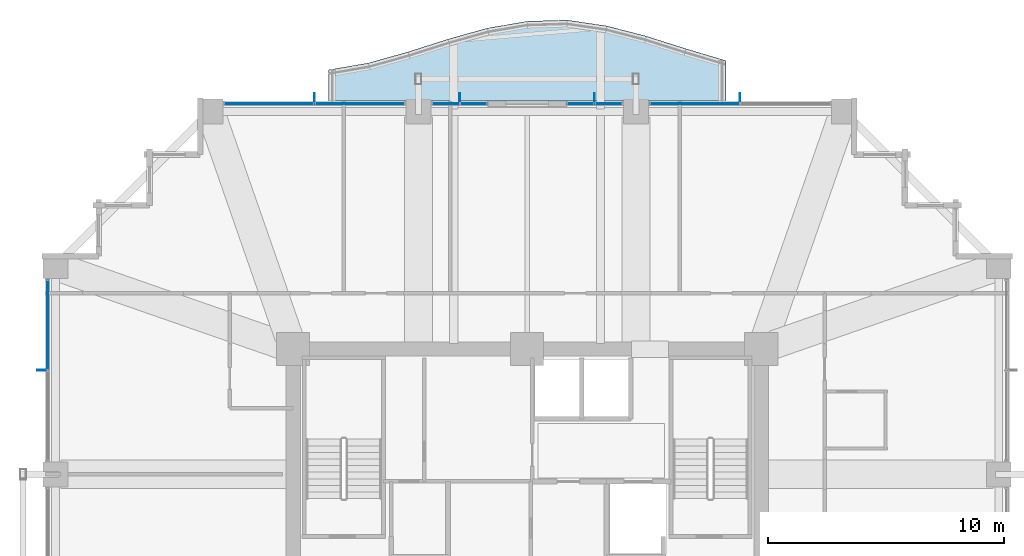
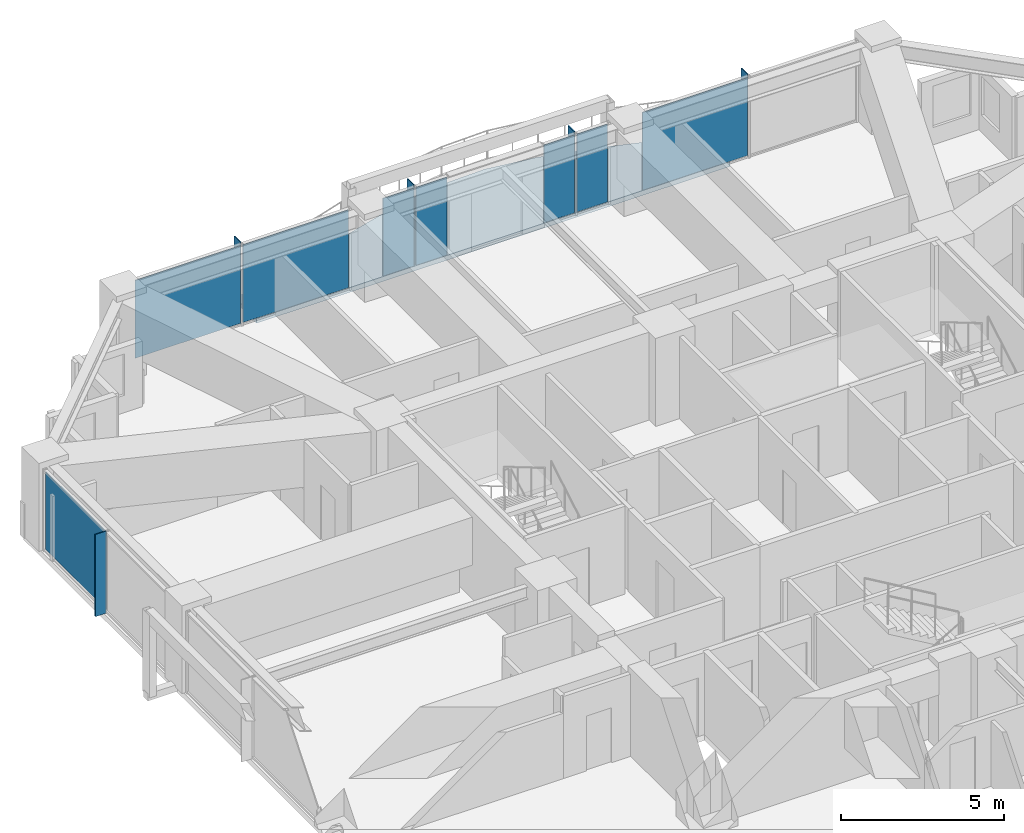
# One storey, part 31 of 39: 13 plates, 1 slab, 5 elements without a shape of their own.
"""IFC4 building model written with IfcOpenShell, lengths in metres."""

from ifc_helpers import new_model, si_unit, direction, frame, origin, origin_2d, place, context, subcontext, project, spatial, polyline, rectangle, outline, extrude, material, layer, layer_set, type_object, element, aggregate, save


model = new_model("IFC4")

# Units and contexts
model_context = context("Model", 3, precision=1e-05, world=origin(), true_north=direction((0.0, 1.0)))
body_context = subcontext(model_context, "Body", "Model", "MODEL_VIEW")
ifc_project = project(units=[si_unit("LENGTHUNIT", "METRE"), si_unit("AREAUNIT", "SQUARE_METRE"), si_unit("VOLUMEUNIT", "CUBIC_METRE"), si_unit("PLANEANGLEUNIT", "RADIAN"), si_unit("MASSUNIT", "GRAM", prefix="KILO")], contexts=[model_context])

# Site, building, storey
site_placement = place(None, origin())
site = spatial("IfcSite", under=ifc_project, at=site_placement, CompositionType="ELEMENT")
building_placement = place(site_placement, origin())
building = spatial("IfcBuilding", under=site, at=building_placement, Name="Kolvaren Belvedere", CompositionType="ELEMENT")
storey_placement = place(building_placement, frame((0.0, 0.0, 85.39990234375)))
storey = spatial("IfcBuildingStorey", under=building, at=storey_placement, Name="L24", CompositionType="ELEMENT", Elevation=85.39990234375)

# Curtain wall, plates
ifc_material_1 = material(Name="Anodised pale-metal aluminium AA 6063-T6", Category="aluminium")
curtain_wall_type = type_object("IfcCurtainWallType", Name="CW-Z2-MID", PredefinedType="NOTDEFINED", material=ifc_material_1)
curtain_wall_1_placement = place(storey_placement, origin())
curtain_wall_1 = element("IfcCurtainWall", 1, at=curtain_wall_1_placement, inside=storey, type_object=curtain_wall_type, Name="L24 Unitised Curtain Wall FCW-L24-N1-B1", PredefinedType="NOTDEFINED")
ifc_material_2 = material(Name="Low-iron triple insulated glass", Category="glass")
ifc_layer_1 = layer(ifc_material_2, 0.028076171875)
ifc_layer_set_1 = layer_set([ifc_layer_1], Name="Low-iron triple insulated glass")
plate_type_1 = type_object("IfcPlateType", Name="CW-PNL-VIS28", PredefinedType="CURTAIN_PANEL", material=ifc_layer_set_1)
plate_1_placement = place(storey_placement, frame((-10.9111328125, 20.280029296875, 0.080078125), z_axis=(0.0, 0.0, 1.0), x_axis=(1.0, 0.0, 0.0)))
plate_1 = element("IfcPlate", 2, at=plate_1_placement, type_object=plate_type_1, Name="FCW-L24-N1-B1 Vision Glazing Panel 1", PredefinedType="CURTAIN_PANEL", context=body_context, shape_type="SweptSolid", body=[
    extrude(rectangle(XDim=3.742431640625, YDim=0.028076171875, at=origin_2d()), origin(), (0.0, 0.0, 1.0), 2.919921875),
])
plate_2_placement = place(storey_placement, frame((-7.0888671875, 20.280029296875, 0.080078125), z_axis=(0.0, 0.0, 1.0), x_axis=(1.0, 0.0, 0.0)))
plate_2 = element("IfcPlate", 3, at=plate_2_placement, type_object=plate_type_1, Name="FCW-L24-N1-B1 Vision Glazing Panel 2", PredefinedType="CURTAIN_PANEL", context=body_context, shape_type="SweptSolid", body=[
    extrude(rectangle(XDim=3.742431640625, YDim=0.028076171875, at=origin_2d()), origin(), (0.0, 0.0, 1.0), 2.919921875),
])
aggregate(curtain_wall_1, [plate_1, plate_2])

curtain_wall_2_placement = place(storey_placement, origin())
curtain_wall_2 = element("IfcCurtainWall", 4, at=curtain_wall_2_placement, inside=storey, type_object=curtain_wall_type, Name="L24 Unitised Curtain Wall FCW-L24-N1-B2", PredefinedType="NOTDEFINED")
plate_3_placement = place(storey_placement, frame((-3.43701171875, 20.280029296875, 0.080078125), z_axis=(0.0, 0.0, 1.0), x_axis=(1.0, 0.0, 0.0)))
plate_3 = element("IfcPlate", 5, at=plate_3_placement, type_object=plate_type_1, Name="FCW-L24-N1-B2 Vision Glazing Panel 1", PredefinedType="CURTAIN_PANEL", context=body_context, shape_type="SweptSolid", body=[
    extrude(rectangle(XDim=1.09130859375, YDim=0.028076171875, at=origin_2d()), origin(), (0.0, 0.0, 1.0), 2.919921875),
])
plate_4_placement = place(storey_placement, frame((-2.265625, 20.280029296875, 0.080078125), z_axis=(0.0, 0.0, 1.0), x_axis=(1.0, 0.0, 0.0)))
plate_4 = element("IfcPlate", 6, at=plate_4_placement, type_object=plate_type_1, Name="FCW-L24-N1-B2 Vision Glazing Panel 2", PredefinedType="CURTAIN_PANEL", context=body_context, shape_type="SweptSolid", body=[
    extrude(rectangle(XDim=1.09130859375, YDim=0.028076171875, at=origin_2d()), origin(), (0.0, 0.0, 1.0), 2.919921875),
])
aggregate(curtain_wall_2, [plate_3, plate_4])

curtain_wall_3_placement = place(storey_placement, origin())
curtain_wall_3 = element("IfcCurtainWall", 7, at=curtain_wall_3_placement, inside=storey, type_object=curtain_wall_type, Name="L24 Unitised Curtain Wall FCW-L24-N2-B1", PredefinedType="NOTDEFINED")
plate_5_placement = place(storey_placement, frame((2.265625, 20.280029296875, 0.080078125), z_axis=(0.0, 0.0, 1.0), x_axis=(1.0, 0.0, 0.0)))
plate_5 = element("IfcPlate", 8, at=plate_5_placement, type_object=plate_type_1, Name="FCW-L24-N2-B1 Vision Glazing Panel 1", PredefinedType="CURTAIN_PANEL", context=body_context, shape_type="SweptSolid", body=[
    extrude(rectangle(XDim=1.09130859375, YDim=0.028076171875, at=origin_2d()), origin(), (0.0, 0.0, 1.0), 2.919921875),
])
plate_6_placement = place(storey_placement, frame((3.43701171875, 20.280029296875, 0.080078125), z_axis=(0.0, 0.0, 1.0), x_axis=(1.0, 0.0, 0.0)))
plate_6 = element("IfcPlate", 9, at=plate_6_placement, type_object=plate_type_1, Name="FCW-L24-N2-B1 Vision Glazing Panel 2", PredefinedType="CURTAIN_PANEL", context=body_context, shape_type="SweptSolid", body=[
    extrude(rectangle(XDim=1.09130859375, YDim=0.028076171875, at=origin_2d()), origin(), (0.0, 0.0, 1.0), 2.919921875),
])
aggregate(curtain_wall_3, [plate_5, plate_6])

# Curtain wall, plate
curtain_wall_4_placement = place(storey_placement, origin())
curtain_wall_4 = element("IfcCurtainWall", 10, at=curtain_wall_4_placement, inside=storey, type_object=curtain_wall_type, Name="L24 Unitised Curtain Wall FCW-L24-N2-B2", PredefinedType="NOTDEFINED")
plate_7_placement = place(storey_placement, frame((7.0888671875, 20.280029296875, 0.080078125), z_axis=(0.0, 0.0, 1.0), x_axis=(1.0, 0.0, 0.0)))
plate_7 = element("IfcPlate", 11, at=plate_7_placement, type_object=plate_type_1, Name="FCW-L24-N2-B2 Vision Glazing Panel 1", PredefinedType="CURTAIN_PANEL", context=body_context, shape_type="SweptSolid", body=[
    extrude(rectangle(XDim=3.742431640625, YDim=0.028076171875, at=origin_2d()), origin(), (0.0, 0.0, 1.0), 2.919921875),
])
aggregate(curtain_wall_4, [plate_7])

curtain_wall_5_placement = place(storey_placement, origin())
curtain_wall_5 = element("IfcCurtainWall", 12, at=curtain_wall_5_placement, inside=storey, type_object=curtain_wall_type, Name="L24 Unitised Curtain Wall FCW-L24-W-B3", PredefinedType="NOTDEFINED")
plate_8_placement = place(storey_placement, frame((-20.280029296875, 10.9111328125, 0.080078125), z_axis=(0.0, 0.0, 1.0), x_axis=(0.0, 1.0, 0.0)))
plate_8 = element("IfcPlate", 13, at=plate_8_placement, type_object=plate_type_1, Name="FCW-L24-W-B3 Vision Glazing Panel 2", PredefinedType="CURTAIN_PANEL", context=body_context, shape_type="SweptSolid", body=[
    extrude(rectangle(XDim=3.742431640625, YDim=0.028076171875, at=origin_2d()), origin(), (0.0, 0.0, 1.0), 2.919921875),
])
aggregate(curtain_wall_5, [plate_8])

# Plates
ifc_material_3 = material(Name="Anodised pale-metal aluminium AA 6063-T6", Category="aluminium")
ifc_layer_2 = layer(ifc_material_3, 0.033935546875)
ifc_layer_set_2 = layer_set([ifc_layer_2], Name="Anodised pale-metal aluminium AA 6063-T6")
plate_type_2 = type_object("IfcPlateType", Name="FIN-VERT-380", PredefinedType="USERDEFINED", material=ifc_layer_set_2)
for number, where, z_axis, x_axis, name in (
    (14, (-9.0, 20.52490234375, 0.0), (0.0, 0.0, 1.0), (0.0, 1.0, 0.0), "L24 Pale-Metal Vertical Shading Fin FCW-L24-N1-B1-1"),
    (15, (-2.851318359375, 20.52490234375, 0.0), (0.0, 0.0, 1.0), (0.0, 1.0, 0.0), "L24 Pale-Metal Vertical Shading Fin FCW-L24-N1-B2-1"),
    (16, (2.851318359375, 20.52490234375, 0.0), (0.0, 0.0, 1.0), (0.0, 1.0, 0.0), "L24 Pale-Metal Vertical Shading Fin FCW-L24-N2-B1-1"),
    (17, (9.0, 20.52490234375, 0.0), (0.0, 0.0, 1.0), (0.0, 1.0, 0.0), "L24 Pale-Metal Vertical Shading Fin FCW-L24-N2-B2-1"),
    (18, (-20.52490234375, 9.0, 0.0), (0.0, 0.0, 1.0), (1.0, 0.0, 0.0), "L24 Pale-Metal Vertical Shading Fin FCW-L24-W-B3-1"),
):
    element("IfcPlate", number, at=place(storey_placement, frame(where, z_axis=z_axis, x_axis=x_axis)), inside=storey, type_object=plate_type_2, Name=name, ObjectType="VERTICAL FIN", PredefinedType="USERDEFINED", context=body_context, shape_type="SweptSolid", body=[
        extrude(rectangle(XDim=0.3798828125, YDim=0.033935546875, at=origin_2d()), origin(), (0.0, 0.0, 1.0), 3.080078125),
    ])

# Slab
ifc_material_4 = material(Name="Concrete C50/60", Category="concrete")
ifc_layer_3 = layer(ifc_material_4, 0.179931640625)
ifc_layer_set_3 = layer_set([ifc_layer_3], Name="Concrete C50/60")
slab_type = type_object("IfcSlabType", Name="SL-BAL-180", PredefinedType="FLOOR", material=ifc_layer_set_3)
slab_placement = place(storey_placement, frame((0.0, 0.0, -0.219970703125)))
element("IfcSlab", 19, at=slab_placement, inside=storey, type_object=slab_type, Name="L24 Planted Balcony BAL-N", PredefinedType="FLOOR", context=body_context, shape_type="SweptSolid", body=[
    extrude(outline(polyline([(-8.39990234375, 20.39990234375), (-6.719970703125, 20.39990234375), (-5.0400390625, 20.39990234375), (-3.360107421875, 20.39990234375), (-1.679931640625, 20.39990234375), (0.0, 20.39990234375), (1.679931640625, 20.39990234375), (3.360107421875, 20.39990234375), (5.0400390625, 20.39990234375), (6.719970703125, 20.39990234375), (8.39990234375, 20.39990234375), (8.39990234375, 22.105224609375), (6.719970703125, 22.6044921875), (5.0400390625, 23.1376953125), (3.360107421875, 23.572265625), (1.679931640625, 23.820068359375), (0.0, 23.76708984375), (-1.679931640625, 23.479248046875), (-3.360107421875, 23.008544921875), (-5.0400390625, 22.471435546875), (-6.719970703125, 22.000732421875), (-8.39990234375, 21.712890625), (-8.39990234375, 20.39990234375)])), origin(), (0.0, 0.0, 1.0), 0.18017578125),
])

save(model, "model.ifc")
